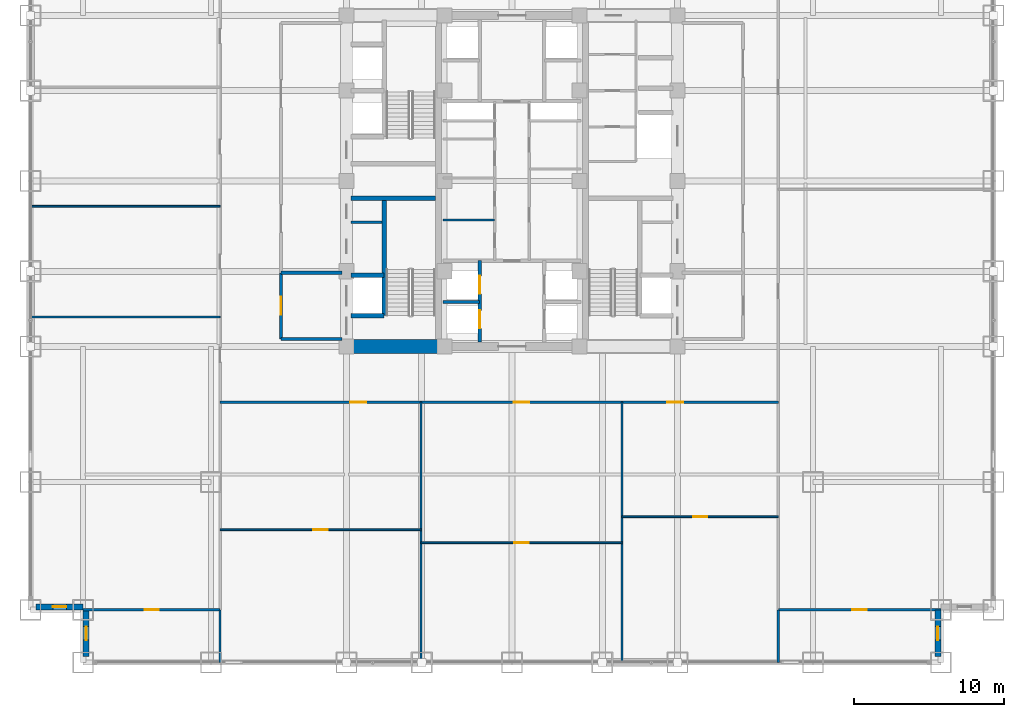
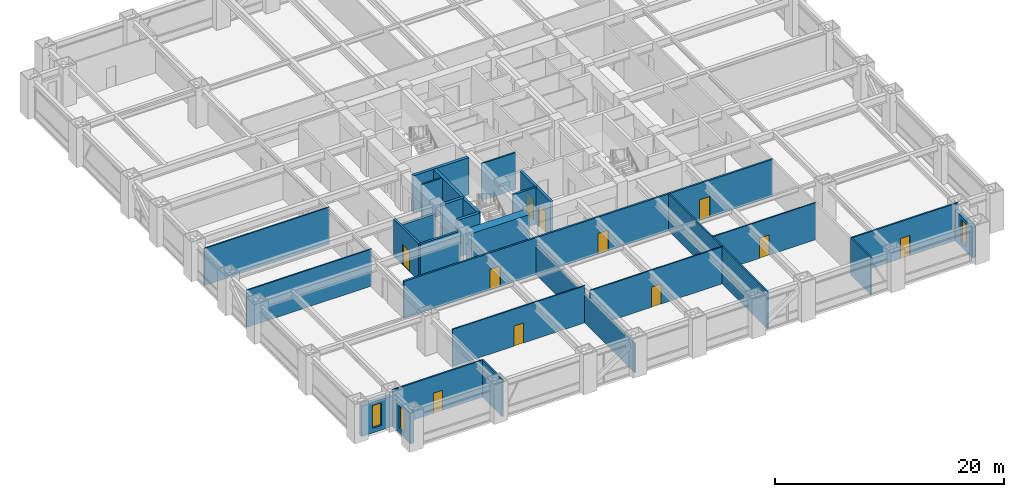
# One storey, part 23 of 28: 27 walls, 11 doors, 3 windows, 14 openings.
"""IFC4 building model written with IfcOpenShell, lengths in metres."""

from ifc_helpers import new_model, si_unit, direction, frame, frame_2d, origin, place, context, subcontext, project, spatial, rectangle, extrude, source, transform, mapped, material, layer, layer_set, type_object, element, fill, save


model = new_model("IFC4")

# Units and contexts
model_context = context("Model", 3, precision=1e-05, world=origin(), true_north=direction((0.0, 1.0)))
body_context = subcontext(model_context, "Body", "Model", "MODEL_VIEW")
ifc_project = project(units=[si_unit("LENGTHUNIT", "METRE"), si_unit("AREAUNIT", "SQUARE_METRE"), si_unit("VOLUMEUNIT", "CUBIC_METRE"), si_unit("PLANEANGLEUNIT", "RADIAN"), si_unit("MASSUNIT", "GRAM", prefix="KILO")], contexts=[model_context])

# Site, building, storey
site_placement = place(None, origin())
site = spatial("IfcSite", under=ifc_project, at=site_placement, CompositionType="ELEMENT")
building_placement = place(site_placement, origin())
building = spatial("IfcBuilding", under=site, at=building_placement, Name="Khorayat Bourse Tower", CompositionType="ELEMENT")
storey_placement = place(building_placement, frame((0.0, 0.0, 66.199951171875)))
storey = spatial("IfcBuildingStorey", under=building, at=storey_placement, Name="L14", CompositionType="ELEMENT", Elevation=66.199951171875)

# Walls
ifc_material_1 = material(Name="Concrete C72/90", Category="concrete")
ifc_layer_1 = layer(ifc_material_1, 0.89990234375)
ifc_layer_set_1 = layer_set([ifc_layer_1], Name="Concrete C72/90")
wall_type_1 = type_object("IfcWallType", Name="WAL-CORE-900", PredefinedType="SHEAR", material=ifc_layer_set_1)
shared_shape_1 = source(origin(), body_context, "Body", "SweptSolid", [
    extrude(rectangle(XDim=5.849853515625, YDim=0.89990234375, at=frame_2d((2.9248046875, 0.0))), origin(), (0.0, 0.0, 1.0), 3.93994140625),
])
wall_1_placement = place(storey_placement, frame((-10.699951171875, -11.0, 0.0), z_axis=(0.0, 0.0, 1.0), x_axis=(1.0, 0.0, 0.0)))
element("IfcWall", 1, at=wall_1_placement, inside=storey, type_object=wall_type_1, Name="L14 Core Shear Wall PIER-WS", PredefinedType="SHEAR", context=body_context, shape_type="MappedRepresentation", body=[
    mapped(shared_shape_1, transform((0.0, 0.0, 0.0), scale=1.0)),
])
ifc_material_2 = material(Name="Concrete C50/60", Category="concrete")
ifc_layer_2 = layer(ifc_material_2, 0.300048828125)
ifc_layer_set_2 = layer_set([ifc_layer_2], Name="Concrete C50/60")
wall_type_2 = type_object("IfcWallType", Name="WAL-SHAFT-300", PredefinedType="SHEAR", material=ifc_layer_set_2)
shared_shape_2 = source(origin(), body_context, "Body", "SweptSolid", [
    extrude(rectangle(XDim=5.599853515625, YDim=0.300048828125, at=frame_2d((2.7998046875, 0.0))), origin(), (0.0, 0.0, 1.0), 3.93994140625),
])
wall_2_placement = place(storey_placement, frame((-10.699951171875, -1.14990234375, 0.0), z_axis=(0.0, 0.0, 1.0), x_axis=(1.0, 0.0, 0.0)))
element("IfcWall", 2, at=wall_2_placement, inside=storey, type_object=wall_type_2, Name="L14 Core Shear Wall ST1-DIV", PredefinedType="SHEAR", context=body_context, shape_type="MappedRepresentation", body=[
    mapped(shared_shape_2, transform((0.0, 0.0, 0.0), scale=1.0)),
])

# Wall, opening, window
ifc_material_3 = material(Name="Precast concrete C45/55", Category="concrete")
ifc_layer_3 = layer(ifc_material_3, 0.3798828125)
ifc_layer_set_3 = layer_set([ifc_layer_3], Name="Precast concrete C45/55")
wall_type_3 = type_object("IfcWallType", Name="WAL-EXT-STONE-380", PredefinedType="STANDARD", material=ifc_layer_set_3)
shared_shape_3 = source(origin(), body_context, "Body", "SweptSolid", [
    extrude(rectangle(XDim=3.1201171875, YDim=0.3798828125, at=frame_2d((1.56005859375, 0.0))), origin(), (0.0, 0.0, 1.0), 3.2451171875),
])
wall_3_placement = place(storey_placement, frame((-28.5, -28.31005859375, 0.0), z_axis=(0.0, 0.0, 1.0), x_axis=(-1.0, 0.0, 0.0)))
wall_3 = element("IfcWall", 3, at=wall_3_placement, inside=storey, type_object=wall_type_3, Name="L14 Re-Entrant Notch Limestone Wall SW-H", PredefinedType="STANDARD", context=body_context, shape_type="MappedRepresentation", body=[
    mapped(shared_shape_3, transform((0.0, 0.0, 0.0), scale=1.0)),
])
shared_shape_4 = source(origin(), body_context, "Body", "SweptSolid", [
    extrude(rectangle(XDim=0.89990234375, YDim=2.39990234375, at=frame_2d((0.449951171875, 1.199951171875))), frame((0.0, 0.199951171875, 0.0), z_axis=(0.0, -1.0, 0.0), x_axis=(1.0, 0.0, 0.0)), (0.0, 0.0, 1.0), 0.39990234375),
])
opening_1_placement = place(wall_3_placement, frame((1.110107421875, 0.0, 0.5)))
opening_1 = element("IfcOpeningElement", 4, at=opening_1_placement, cuts=wall_3, Name="Opening WN-03", PredefinedType="OPENING", context=body_context, shape_type="MappedRepresentation", body=[
    mapped(shared_shape_4, transform((0.0, 0.0, 0.0), scale=1.0)),
])
ifc_material_4 = material(Name="Deep-reveal solar-control double glazing", Category="glass")
window_type = type_object("IfcWindowType", Name="WIN-SLOT-900x2400", PartitioningType="SINGLE_PANEL", PredefinedType="WINDOW", material=ifc_material_4)
shared_shape_5 = source(origin(), body_context, "Body", "SweptSolid", [
    extrude(rectangle(XDim=0.89990234375, YDim=2.39990234375, at=frame_2d((0.449951171875, 1.199951171875))), frame((0.0, 0.030029296875, 0.0), z_axis=(0.0, -1.0, 0.0), x_axis=(1.0, 0.0, 0.0)), (0.0, 0.0, 1.0), 0.06005859375),
])
window_1_placement = place(opening_1_placement, origin())
window_1 = element("IfcWindow", 5, at=window_1_placement, inside=storey, type_object=window_type, Name="L14 Facade Window 1", OverallHeight=2.39990234375, OverallWidth=0.89990234375, PartitioningType="SINGLE_PANEL", PredefinedType="WINDOW", context=body_context, shape_type="MappedRepresentation", body=[
    mapped(shared_shape_5, transform((0.0, 0.0, 0.0), scale=1.0)),
])
fill(opening_1, window_1)

wall_4_placement = place(storey_placement, frame((-28.31005859375, -31.6201171875, 0.0), z_axis=(0.0, 0.0, 1.0), x_axis=(0.0, 1.0, 0.0)))
wall_4 = element("IfcWall", 6, at=wall_4_placement, inside=storey, type_object=wall_type_3, Name="L14 Re-Entrant Notch Limestone Wall SW-V", PredefinedType="STANDARD", context=body_context, shape_type="MappedRepresentation", body=[
    mapped(shared_shape_3, transform((0.0, 0.0, 0.0), scale=1.0)),
])
opening_2_placement = place(wall_4_placement, frame((1.110107421875, 0.0, 0.5)))
opening_2 = element("IfcOpeningElement", 7, at=opening_2_placement, cuts=wall_4, Name="Opening WN-03", PredefinedType="OPENING", context=body_context, shape_type="MappedRepresentation", body=[
    mapped(shared_shape_4, transform((0.0, 0.0, 0.0), scale=1.0)),
])
window_2_placement = place(opening_2_placement, origin())
window_2 = element("IfcWindow", 8, at=window_2_placement, inside=storey, type_object=window_type, Name="L14 Facade Window 1", OverallHeight=2.39990234375, OverallWidth=0.89990234375, PartitioningType="SINGLE_PANEL", PredefinedType="WINDOW", context=body_context, shape_type="MappedRepresentation", body=[
    mapped(shared_shape_5, transform((0.0, 0.0, 0.0), scale=1.0)),
])
fill(opening_2, window_2)

wall_5_placement = place(storey_placement, frame((28.31005859375, -31.6201171875, 0.0), z_axis=(0.0, 0.0, 1.0), x_axis=(0.0, 1.0, 0.0)))
wall_5 = element("IfcWall", 9, at=wall_5_placement, inside=storey, type_object=wall_type_3, Name="L14 Re-Entrant Notch Limestone Wall SE-V", PredefinedType="STANDARD", context=body_context, shape_type="MappedRepresentation", body=[
    mapped(shared_shape_3, transform((0.0, 0.0, 0.0), scale=1.0)),
])
opening_3_placement = place(wall_5_placement, frame((1.110107421875, 0.0, 0.5)))
opening_3 = element("IfcOpeningElement", 10, at=opening_3_placement, cuts=wall_5, Name="Opening WN-03", PredefinedType="OPENING", context=body_context, shape_type="MappedRepresentation", body=[
    mapped(shared_shape_4, transform((0.0, 0.0, 0.0), scale=1.0)),
])
window_3_placement = place(opening_3_placement, origin())
window_3 = element("IfcWindow", 11, at=window_3_placement, inside=storey, type_object=window_type, Name="L14 Facade Window 1", OverallHeight=2.39990234375, OverallWidth=0.89990234375, PartitioningType="SINGLE_PANEL", PredefinedType="WINDOW", context=body_context, shape_type="MappedRepresentation", body=[
    mapped(shared_shape_5, transform((0.0, 0.0, 0.0), scale=1.0)),
])
fill(opening_3, window_3)

# Walls
shared_shape_6 = source(origin(), body_context, "Body", "SweptSolid", [
    extrude(rectangle(XDim=7.800048828125, YDim=0.300048828125, at=frame_2d((3.89990234375, 0.0))), origin(), (0.0, 0.0, 1.0), 3.93994140625),
])
wall_6_placement = place(storey_placement, frame((-8.5, -8.949951171875, 0.0), z_axis=(0.0, 0.0, 1.0), x_axis=(0.0, 1.0, 0.0)))
element("IfcWall", 12, at=wall_6_placement, inside=storey, type_object=wall_type_2, Name="L14 Partition WAL-L14-WPIER-SP", PredefinedType="SHEAR", context=body_context, shape_type="MappedRepresentation", body=[
    mapped(shared_shape_6, transform((0.0, 0.0, 0.0), scale=1.0)),
])
shared_shape_7 = source(origin(), body_context, "Body", "SweptSolid", [
    extrude(rectangle(XDim=2.199951171875, YDim=0.300048828125, at=frame_2d((1.10009765625, 0.0))), origin(), (0.0, 0.0, 1.0), 3.93994140625),
])
for number, where, z_axis, x_axis, name in (
    (13, (-10.699951171875, -8.949951171875, 0.0), (0.0, 0.0, 1.0), (1.0, 0.0, 0.0), "L14 Partition WAL-L14-WPIER-FF1S"),
    (14, (-10.699951171875, -6.25, 0.0), (0.0, 0.0, 1.0), (1.0, 0.0, 0.0), "L14 Partition WAL-L14-WPIER-FF1N"),
):
    element("IfcWall", number, at=place(storey_placement, frame(where, z_axis=z_axis, x_axis=x_axis)), inside=storey, type_object=wall_type_2, Name=name, PredefinedType="SHEAR", context=body_context, shape_type="MappedRepresentation", body=[
        mapped(shared_shape_7, transform((0.0, 0.0, 0.0), scale=1.0)),
    ])
ifc_material_5 = material(Name="Gypsum plasterboard twin-frame partition")
ifc_layer_4 = layer(ifc_material_5, 0.14990234375)
ifc_layer_set_4 = layer_set([ifc_layer_4], Name="Gypsum plasterboard twin-frame partition")
wall_type_4 = type_object("IfcWallType", Name="WAL-PART-SUITE-150", PredefinedType="PARTITIONING", material=ifc_layer_set_4)
shared_shape_8 = source(origin(), body_context, "Body", "SweptSolid", [
    extrude(rectangle(XDim=2.050048828125, YDim=0.14990234375, at=frame_2d((1.02490234375, 0.0))), origin(), (0.0, 0.0, 1.0), 3.93994140625),
])
wall_7_placement = place(storey_placement, frame((-10.699951171875, -2.75, 0.0), z_axis=(0.0, 0.0, 1.0), x_axis=(1.0, 0.0, 0.0)))
element("IfcWall", 15, at=wall_7_placement, inside=storey, type_object=wall_type_4, Name="L14 Partition WAL-L14-WSRV-D1", PredefinedType="PARTITIONING", context=body_context, shape_type="MappedRepresentation", body=[
    mapped(shared_shape_8, transform((0.0, 0.0, 0.0), scale=1.0)),
])
ifc_material_6 = material(Name="Aerated concrete blockwork", Category="masonry")
ifc_layer_5 = layer(ifc_material_6, 0.219970703125)
ifc_layer_set_5 = layer_set([ifc_layer_5], Name="Aerated concrete blockwork")
wall_type_5 = type_object("IfcWallType", Name="WAL-PART-FF-220", PredefinedType="PARTITIONING", material=ifc_layer_set_5)
shared_shape_9 = source(origin(), body_context, "Body", "SweptSolid", [
    extrude(rectangle(XDim=4.050048828125, YDim=0.219970703125, at=frame_2d((2.02490234375, 0.0))), origin(), (0.0, 0.0, 1.0), 3.93994140625),
])
wall_8_placement = place(storey_placement, frame((-15.35009765625, -10.5, 0.0), z_axis=(0.0, 0.0, 1.0), x_axis=(1.0, 0.0, 0.0)))
element("IfcWall", 16, at=wall_8_placement, inside=storey, type_object=wall_type_5, Name="L14 Partition WAL-L14-FFLW-S", PredefinedType="PARTITIONING", context=body_context, shape_type="MappedRepresentation", body=[
    mapped(shared_shape_9, transform((0.0, 0.0, 0.0), scale=1.0)),
])
shared_shape_10 = source(origin(), body_context, "Body", "SweptSolid", [
    extrude(rectangle(XDim=4.050048828125, YDim=0.219970703125, at=frame_2d((2.02490234375, 0.0))), origin(), (0.0, 0.0, 1.0), 3.0849609375),
])
wall_9_placement = place(storey_placement, frame((-15.35009765625, -6.10009765625, 0.0), z_axis=(0.0, 0.0, 1.0), x_axis=(1.0, 0.0, 0.0)))
element("IfcWall", 17, at=wall_9_placement, inside=storey, type_object=wall_type_5, Name="L14 Partition WAL-L14-FFLW-N", PredefinedType="PARTITIONING", context=body_context, shape_type="MappedRepresentation", body=[
    mapped(shared_shape_10, transform((0.0, 0.0, 0.0), scale=1.0)),
])

# Wall, opening, door
shared_shape_11 = source(origin(), body_context, "Body", "SweptSolid", [
    extrude(rectangle(XDim=4.39990234375, YDim=0.219970703125, at=frame_2d((2.199951171875, 0.0))), origin(), (0.0, 0.0, 1.0), 3.93994140625),
])
wall_10_placement = place(storey_placement, frame((-15.35009765625, -10.5, 0.0), z_axis=(0.0, 0.0, 1.0), x_axis=(0.0, 1.0, 0.0)))
wall_10 = element("IfcWall", 18, at=wall_10_placement, inside=storey, type_object=wall_type_5, Name="L14 Partition WAL-L14-FFLW-W", PredefinedType="PARTITIONING", context=body_context, shape_type="MappedRepresentation", body=[
    mapped(shared_shape_11, transform((0.0, 0.0, 0.0), scale=1.0)),
])
shared_shape_12 = source(origin(), body_context, "Body", "SweptSolid", [
    extrude(rectangle(XDim=1.199951171875, YDim=2.199951171875, at=frame_2d((0.60009765625, 1.10009765625))), frame((0.0, 0.119873046875, 0.0), z_axis=(0.0, -1.0, 0.0), x_axis=(1.0, 0.0, 0.0)), (0.0, 0.0, 1.0), 0.239990234375),
])
opening_4_placement = place(wall_10_placement, frame((1.60009765625, 0.0, 0.0)))
opening_4 = element("IfcOpeningElement", 19, at=opening_4_placement, cuts=wall_10, Name="Opening DI-02", PredefinedType="OPENING", context=body_context, shape_type="MappedRepresentation", body=[
    mapped(shared_shape_12, transform((0.0, 0.0, 0.0), scale=1.0)),
])
ifc_material_7 = material(Name="Fire-rated steel double-seal leaf", Category="steel")
door_type_1 = type_object("IfcDoorType", Name="DR-INT-FFLOBBY-1200", OperationType="NOTDEFINED", PredefinedType="DOOR", material=ifc_material_7)
shared_shape_13 = source(origin(), body_context, "Body", "SweptSolid", [
    extrude(rectangle(XDim=1.199951171875, YDim=2.199951171875, at=frame_2d((0.60009765625, 1.10009765625))), frame((0.0, 0.02490234375, 0.0), z_axis=(0.0, -1.0, 0.0), x_axis=(1.0, 0.0, 0.0)), (0.0, 0.0, 1.0), 0.050048828125),
])
door_1_placement = place(opening_4_placement, origin())
door_1 = element("IfcDoor", 20, at=door_1_placement, inside=storey, type_object=door_type_1, Name="L14 West Firefighting Lobby Door", OperationType="SINGLE_SWING_LEFT", OverallHeight=2.199951171875, OverallWidth=1.199951171875, PredefinedType="DOOR", context=body_context, shape_type="MappedRepresentation", body=[
    mapped(shared_shape_13, transform((0.0, 0.0, 0.0), scale=1.0)),
])
fill(opening_4, door_1)

# Wall, openings, doors
shared_shape_14 = source(origin(), body_context, "Body", "SweptSolid", [
    extrude(rectangle(XDim=5.39990234375, YDim=0.25, at=frame_2d((2.699951171875, 0.0))), origin(), (0.0, 0.0, 1.0), 3.93994140625),
])
wall_11_placement = place(storey_placement, frame((-2.14990234375, -10.699951171875, 0.0), z_axis=(0.0, 0.0, 1.0), x_axis=(0.0, 1.0, 0.0)))
wall_11 = element("IfcWall", 21, at=wall_11_placement, inside=storey, type_object=wall_type_2, Name="L14 Partition WAL-L14-B1-W", PredefinedType="SHEAR", context=body_context, shape_type="MappedRepresentation", body=[
    mapped(shared_shape_14, transform((0.0, 0.0, 0.0), scale=1.0)),
])
shared_shape_15 = source(origin(), body_context, "Body", "SweptSolid", [
    extrude(rectangle(XDim=1.199951171875, YDim=2.300048828125, at=frame_2d((0.60009765625, 1.14990234375))), frame((0.0, 0.135009765625, 0.0), z_axis=(0.0, -1.0, 0.0), x_axis=(1.0, 0.0, 0.0)), (0.0, 0.0, 1.0), 0.27001953125),
])
opening_5_placement = place(wall_11_placement, frame((0.89990234375, 0.0, 0.0)))
opening_5 = element("IfcOpeningElement", 22, at=opening_5_placement, cuts=wall_11, Name="Opening LD-01", PredefinedType="OPENING", context=body_context, shape_type="MappedRepresentation", body=[
    mapped(shared_shape_15, transform((0.0, 0.0, 0.0), scale=1.0)),
])
opening_6_placement = place(wall_11_placement, frame((3.199951171875, 0.0, 0.0)))
opening_6 = element("IfcOpeningElement", 23, at=opening_6_placement, cuts=wall_11, Name="Opening LD-01", PredefinedType="OPENING", context=body_context, shape_type="MappedRepresentation", body=[
    mapped(shared_shape_15, transform((0.0, 0.0, 0.0), scale=1.0)),
])
ifc_material_8 = material(Name="Brushed bronze stainless-steel sliding door", Category="steel")
door_type_2 = type_object("IfcDoorType", Name="DR-LIFT-PASS-1200", OperationType="NOTDEFINED", PredefinedType="DOOR", material=ifc_material_8)
shared_shape_16 = source(origin(), body_context, "Body", "SweptSolid", [
    extrude(rectangle(XDim=1.199951171875, YDim=2.300048828125, at=frame_2d((0.60009765625, 1.14990234375))), frame((0.0, 0.02490234375, 0.0), z_axis=(0.0, -1.0, 0.0), x_axis=(1.0, 0.0, 0.0)), (0.0, 0.0, 1.0), 0.050048828125),
])
door_2_placement = place(opening_5_placement, origin())
door_2 = element("IfcDoor", 24, at=door_2_placement, inside=storey, type_object=door_type_2, Name="L14 Lift PL-L1 Sliding Landing Door", OperationType="SLIDING_TO_LEFT", OverallHeight=2.300048828125, OverallWidth=1.199951171875, PredefinedType="DOOR", context=body_context, shape_type="MappedRepresentation", body=[
    mapped(shared_shape_16, transform((0.0, 0.0, 0.0), scale=1.0)),
])
fill(opening_5, door_2)
door_3_placement = place(opening_6_placement, origin())
door_3 = element("IfcDoor", 25, at=door_3_placement, inside=storey, type_object=door_type_2, Name="L14 Lift PL-L3 Sliding Landing Door", OperationType="SLIDING_TO_LEFT", OverallHeight=2.300048828125, OverallWidth=1.199951171875, PredefinedType="DOOR", context=body_context, shape_type="MappedRepresentation", body=[
    mapped(shared_shape_16, transform((0.0, 0.0, 0.0), scale=1.0)),
])
fill(opening_6, door_3)

# Walls
shared_shape_17 = source(origin(), body_context, "Body", "SweptSolid", [
    extrude(rectangle(XDim=2.4501953125, YDim=0.199951171875, at=frame_2d((1.22509765625, 0.0))), origin(), (0.0, 0.0, 1.0), 3.93994140625),
])
wall_12_placement = place(storey_placement, frame((-4.60009765625, -8.050048828125, 0.0), z_axis=(0.0, 0.0, 1.0), x_axis=(1.0, 0.0, 0.0)))
element("IfcWall", 26, at=wall_12_placement, inside=storey, type_object=wall_type_2, Name="L14 Partition WAL-L14-B1-MW", PredefinedType="SHEAR", context=body_context, shape_type="MappedRepresentation", body=[
    mapped(shared_shape_17, transform((0.0, 0.0, 0.0), scale=1.0)),
])
ifc_material_9 = material(Name="Moisture-resistant masonry partition", Category="masonry")
ifc_layer_6 = layer(ifc_material_9, 0.139892578125)
ifc_layer_set_6 = layer_set([ifc_layer_6], Name="Moisture-resistant masonry partition")
wall_type_6 = type_object("IfcWallType", Name="WAL-PART-WET-140", PredefinedType="PARTITIONING", material=ifc_layer_set_6)
shared_shape_18 = source(origin(), body_context, "Body", "SweptSolid", [
    extrude(rectangle(XDim=3.4501953125, YDim=0.139892578125, at=frame_2d((1.72509765625, 0.0))), origin(), (0.0, 0.0, 1.0), 3.93994140625),
])
wall_13_placement = place(storey_placement, frame((-4.60009765625, -2.60009765625, 0.0), z_axis=(0.0, 0.0, 1.0), x_axis=(1.0, 0.0, 0.0)))
element("IfcWall", 27, at=wall_13_placement, inside=storey, type_object=wall_type_6, Name="L14 Partition WAL-L14-CMW-D1", PredefinedType="PARTITIONING", context=body_context, shape_type="MappedRepresentation", body=[
    mapped(shared_shape_18, transform((0.0, 0.0, 0.0), scale=1.0)),
])
shared_shape_19 = source(origin(), body_context, "Body", "SweptSolid", [
    extrude(rectangle(XDim=3.5, YDim=0.14990234375, at=frame_2d((1.75, 0.0))), origin(), (0.0, 0.0, 1.0), 3.93994140625),
])
for number, where, z_axis, x_axis, name in (
    (28, (-19.39990234375, -32.0, 0.0), (0.0, 0.0, 1.0), (0.0, 1.0, 0.0), "L14 Partition WAL-L14-SCW-END"),
    (29, (17.699951171875, -32.0, 0.0), (0.0, 0.0, 1.0), (0.0, 1.0, 0.0), "L14 Partition WAL-L14-SCE-END"),
):
    element("IfcWall", number, at=place(storey_placement, frame(where, z_axis=z_axis, x_axis=x_axis)), inside=storey, type_object=wall_type_4, Name=name, PredefinedType="PARTITIONING", context=body_context, shape_type="MappedRepresentation", body=[
        mapped(shared_shape_19, transform((0.0, 0.0, 0.0), scale=1.0)),
    ])

# Wall, opening, door
shared_shape_20 = source(origin(), body_context, "Body", "SweptSolid", [
    extrude(rectangle(XDim=10.800048828125, YDim=0.14990234375, at=frame_2d((5.39990234375, 0.0))), origin(), (0.0, 0.0, 1.0), 3.93994140625),
])
wall_14_placement = place(storey_placement, frame((17.699951171875, -28.5, 0.0), z_axis=(0.0, 0.0, 1.0), x_axis=(1.0, 0.0, 0.0)))
wall_14 = element("IfcWall", 30, at=wall_14_placement, inside=storey, type_object=wall_type_4, Name="L14 Partition WAL-L14-CSE", PredefinedType="PARTITIONING", context=body_context, shape_type="MappedRepresentation", body=[
    mapped(shared_shape_20, transform((0.0, 0.0, 0.0), scale=1.0)),
])
shared_shape_21 = source(origin(), body_context, "Body", "SweptSolid", [
    extrude(rectangle(XDim=0.949951171875, YDim=2.14990234375, at=frame_2d((0.47509765625, 1.074951171875))), frame((0.0, 0.0849609375, 0.0), z_axis=(0.0, -1.0, 0.0), x_axis=(1.0, 0.0, 0.0)), (0.0, 0.0, 1.0), 0.169921875),
])
opening_7_placement = place(wall_14_placement, frame((4.925048828125, 0.0, 0.0)))
opening_7 = element("IfcOpeningElement", 31, at=opening_7_placement, cuts=wall_14, Name="Opening DI-05", PredefinedType="OPENING", context=body_context, shape_type="MappedRepresentation", body=[
    mapped(shared_shape_21, transform((0.0, 0.0, 0.0), scale=1.0)),
])
ifc_material_10 = material(Name="Acoustic oak veneer office door")
door_type_3 = type_object("IfcDoorType", Name="DR-INT-OFFICE-950", OperationType="NOTDEFINED", PredefinedType="DOOR", material=ifc_material_10)
shared_shape_22 = source(origin(), body_context, "Body", "SweptSolid", [
    extrude(rectangle(XDim=0.949951171875, YDim=2.14990234375, at=frame_2d((0.47509765625, 1.074951171875))), frame((0.0, 0.02490234375, 0.0), z_axis=(0.0, -1.0, 0.0), x_axis=(1.0, 0.0, 0.0)), (0.0, 0.0, 1.0), 0.050048828125),
])
door_4_placement = place(opening_7_placement, origin())
door_4 = element("IfcDoor", 32, at=door_4_placement, inside=storey, type_object=door_type_3, Name="L14 South-East Corner Briefing Room Door", OperationType="SINGLE_SWING_LEFT", OverallHeight=2.14990234375, OverallWidth=0.949951171875, PredefinedType="DOOR", context=body_context, shape_type="MappedRepresentation", body=[
    mapped(shared_shape_22, transform((0.0, 0.0, 0.0), scale=1.0)),
])
fill(opening_7, door_4)

shared_shape_23 = source(origin(), body_context, "Body", "SweptSolid", [
    extrude(rectangle(XDim=9.10009765625, YDim=0.14990234375, at=frame_2d((4.550048828125, 0.0))), origin(), (0.0, 0.0, 1.0), 3.93994140625),
])
wall_15_placement = place(storey_placement, frame((-28.5, -28.5, 0.0), z_axis=(0.0, 0.0, 1.0), x_axis=(1.0, 0.0, 0.0)))
wall_15 = element("IfcWall", 33, at=wall_15_placement, inside=storey, type_object=wall_type_4, Name="L14 Partition WAL-L14-CSW", PredefinedType="PARTITIONING", context=body_context, shape_type="MappedRepresentation", body=[
    mapped(shared_shape_23, transform((0.0, 0.0, 0.0), scale=1.0)),
])
opening_8_placement = place(wall_15_placement, frame((4.074951171875, 0.0, 0.0)))
opening_8 = element("IfcOpeningElement", 34, at=opening_8_placement, cuts=wall_15, Name="Opening DI-05", PredefinedType="OPENING", context=body_context, shape_type="MappedRepresentation", body=[
    mapped(shared_shape_21, transform((0.0, 0.0, 0.0), scale=1.0)),
])
door_5_placement = place(opening_8_placement, origin())
door_5 = element("IfcDoor", 35, at=door_5_placement, inside=storey, type_object=door_type_3, Name="L14 South-West Corner Office Door", OperationType="SINGLE_SWING_LEFT", OverallHeight=2.14990234375, OverallWidth=0.949951171875, PredefinedType="DOOR", context=body_context, shape_type="MappedRepresentation", body=[
    mapped(shared_shape_22, transform((0.0, 0.0, 0.0), scale=1.0)),
])
fill(opening_8, door_5)

ifc_material_11 = material(Name="Gypsum plasterboard partition")
ifc_layer_7 = layer(ifc_material_11, 0.125)
ifc_layer_set_7 = layer_set([ifc_layer_7], Name="Gypsum plasterboard partition")
wall_type_7 = type_object("IfcWallType", Name="WAL-PART-ROOM-125", PredefinedType="PARTITIONING", material=ifc_layer_set_7)
shared_shape_24 = source(origin(), body_context, "Body", "SweptSolid", [
    extrude(rectangle(XDim=13.35595703125, YDim=0.125, at=frame_2d((6.677978515625, 0.0))), origin(), (0.0, 0.0, 1.0), 3.93994140625),
])
wall_16_placement = place(storey_placement, frame((-19.39990234375, -23.177001953125, 0.0), z_axis=(0.0, 0.0, 1.0), x_axis=(1.0, 0.0, 0.0)))
wall_16 = element("IfcWall", 36, at=wall_16_placement, inside=storey, type_object=wall_type_7, Name="L14 Partition WAL-L14-SDP-1", PredefinedType="PARTITIONING", context=body_context, shape_type="MappedRepresentation", body=[
    mapped(shared_shape_24, transform((0.0, 0.0, 0.0), scale=1.0)),
])
shared_shape_25 = source(origin(), body_context, "Body", "SweptSolid", [
    extrude(rectangle(XDim=0.949951171875, YDim=2.14990234375, at=frame_2d((0.47509765625, 1.074951171875))), frame((0.0, 0.072509765625, 0.0), z_axis=(0.0, -1.0, 0.0), x_axis=(1.0, 0.0, 0.0)), (0.0, 0.0, 1.0), 0.14501953125),
])
opening_9_placement = place(wall_16_placement, frame((6.202880859375, 0.0, 0.0)))
opening_9 = element("IfcOpeningElement", 37, at=opening_9_placement, cuts=wall_16, Name="Opening DI-05", PredefinedType="OPENING", context=body_context, shape_type="MappedRepresentation", body=[
    mapped(shared_shape_25, transform((0.0, 0.0, 0.0), scale=1.0)),
])
door_6_placement = place(opening_9_placement, origin())
door_6 = element("IfcDoor", 38, at=door_6_placement, inside=storey, type_object=door_type_3, Name="L14 Members Dining Room S1B Door", OperationType="SINGLE_SWING_RIGHT", OverallHeight=2.14990234375, OverallWidth=0.949951171875, PredefinedType="DOOR", context=body_context, shape_type="MappedRepresentation", body=[
    mapped(shared_shape_22, transform((0.0, 0.0, 0.0), scale=1.0)),
])
fill(opening_9, door_6)

wall_17_placement = place(storey_placement, frame((-6.0439453125, -24.0419921875, 0.0), z_axis=(0.0, 0.0, 1.0), x_axis=(1.0, 0.0, 0.0)))
wall_17 = element("IfcWall", 39, at=wall_17_placement, inside=storey, type_object=wall_type_7, Name="L14 Partition WAL-L14-SDP-2", PredefinedType="PARTITIONING", context=body_context, shape_type="MappedRepresentation", body=[
    mapped(shared_shape_24, transform((0.0, 0.0, 0.0), scale=1.0)),
])
opening_10_placement = place(wall_17_placement, frame((6.202880859375, 0.0, 0.0)))
opening_10 = element("IfcOpeningElement", 40, at=opening_10_placement, cuts=wall_17, Name="Opening DI-05", PredefinedType="OPENING", context=body_context, shape_type="MappedRepresentation", body=[
    mapped(shared_shape_25, transform((0.0, 0.0, 0.0), scale=1.0)),
])
door_7_placement = place(opening_10_placement, origin())
door_7 = element("IfcDoor", 41, at=door_7_placement, inside=storey, type_object=door_type_3, Name="L14 Members Club Room S2B Door", OperationType="SINGLE_SWING_LEFT", OverallHeight=2.14990234375, OverallWidth=0.949951171875, PredefinedType="DOOR", context=body_context, shape_type="MappedRepresentation", body=[
    mapped(shared_shape_22, transform((0.0, 0.0, 0.0), scale=1.0)),
])
fill(opening_10, door_7)

# Walls
shared_shape_26 = source(origin(), body_context, "Body", "SweptSolid", [
    extrude(rectangle(XDim=17.300048828125, YDim=0.14990234375, at=frame_2d((8.64990234375, 0.0))), origin(), (0.0, 0.0, 1.0), 3.0849609375),
])
wall_18_placement = place(storey_placement, frame((-6.0439453125, -32.0, 0.0), z_axis=(0.0, 0.0, 1.0), x_axis=(0.0, 1.0, 0.0)))
element("IfcWall", 42, at=wall_18_placement, inside=storey, type_object=wall_type_4, Name="L14 Partition WAL-L14-SDV-1", PredefinedType="PARTITIONING", context=body_context, shape_type="MappedRepresentation", body=[
    mapped(shared_shape_26, transform((0.0, 0.0, 0.0), scale=1.0)),
])
shared_shape_27 = source(origin(), body_context, "Body", "SweptSolid", [
    extrude(rectangle(XDim=17.300048828125, YDim=0.14990234375, at=frame_2d((8.64990234375, 0.0))), origin(), (0.0, 0.0, 1.0), 3.93994140625),
])
wall_19_placement = place(storey_placement, frame((7.31201171875, -32.0, 0.0), z_axis=(0.0, 0.0, 1.0), x_axis=(0.0, 1.0, 0.0)))
element("IfcWall", 43, at=wall_19_placement, inside=storey, type_object=wall_type_4, Name="L14 Partition WAL-L14-SDV-2", PredefinedType="PARTITIONING", context=body_context, shape_type="MappedRepresentation", body=[
    mapped(shared_shape_27, transform((0.0, 0.0, 0.0), scale=1.0)),
])

# Wall, opening, door
shared_shape_28 = source(origin(), body_context, "Body", "SweptSolid", [
    extrude(rectangle(XDim=10.387939453125, YDim=0.125, at=frame_2d((5.19384765625, 0.0))), origin(), (0.0, 0.0, 1.0), 3.93994140625),
])
wall_20_placement = place(storey_placement, frame((7.31201171875, -22.31201171875, 0.0), z_axis=(0.0, 0.0, 1.0), x_axis=(1.0, 0.0, 0.0)))
wall_20 = element("IfcWall", 44, at=wall_20_placement, inside=storey, type_object=wall_type_7, Name="L14 Partition WAL-L14-SDP-3", PredefinedType="PARTITIONING", context=body_context, shape_type="MappedRepresentation", body=[
    mapped(shared_shape_28, transform((0.0, 0.0, 0.0), scale=1.0)),
])
opening_11_placement = place(wall_20_placement, frame((4.718994140625, 0.0, 0.0)))
opening_11 = element("IfcOpeningElement", 45, at=opening_11_placement, cuts=wall_20, Name="Opening DI-05", PredefinedType="OPENING", context=body_context, shape_type="MappedRepresentation", body=[
    mapped(shared_shape_25, transform((0.0, 0.0, 0.0), scale=1.0)),
])
door_8_placement = place(opening_11_placement, origin())
door_8 = element("IfcDoor", 46, at=door_8_placement, inside=storey, type_object=door_type_3, Name="L14 Issuer Listing Showroom S3B Door", OperationType="SINGLE_SWING_RIGHT", OverallHeight=2.14990234375, OverallWidth=0.949951171875, PredefinedType="DOOR", context=body_context, shape_type="MappedRepresentation", body=[
    mapped(shared_shape_22, transform((0.0, 0.0, 0.0), scale=1.0)),
])
fill(opening_11, door_8)

# Wall, openings, doors
ifc_material_12 = material(Name="Gypsum plasterboard acoustic stud wall")
ifc_layer_8 = layer(ifc_material_12, 0.179931640625)
ifc_layer_set_8 = layer_set([ifc_layer_8], Name="Gypsum plasterboard acoustic stud wall")
wall_type_8 = type_object("IfcWallType", Name="WAL-PART-CORR-180", PredefinedType="PARTITIONING", material=ifc_layer_set_8)
shared_shape_29 = source(origin(), body_context, "Body", "SweptSolid", [
    extrude(rectangle(XDim=37.099853515625, YDim=0.179931640625, at=frame_2d((18.5498046875, 0.0))), origin(), (0.0, 0.0, 1.0), 3.93994140625),
])
wall_21_placement = place(storey_placement, frame((-19.39990234375, -14.699951171875, 0.0), z_axis=(0.0, 0.0, 1.0), x_axis=(1.0, 0.0, 0.0)))
wall_21 = element("IfcWall", 47, at=wall_21_placement, inside=storey, type_object=wall_type_8, Name="L14 Partition WAL-L14-SCORR", PredefinedType="PARTITIONING", context=body_context, shape_type="MappedRepresentation", body=[
    mapped(shared_shape_29, transform((0.0, 0.0, 0.0), scale=1.0)),
])
shared_shape_30 = source(origin(), body_context, "Body", "SweptSolid", [
    extrude(rectangle(XDim=1.050048828125, YDim=2.199951171875, at=frame_2d((0.52490234375, 1.10009765625))), frame((0.0, 0.099853515625, 0.0), z_axis=(0.0, -1.0, 0.0), x_axis=(1.0, 0.0, 0.0)), (0.0, 0.0, 1.0), 0.199951171875),
])
opening_12_placement = place(wall_21_placement, frame((8.653076171875, 0.0, 0.0)))
opening_12 = element("IfcOpeningElement", 48, at=opening_12_placement, cuts=wall_21, Name="Opening DI-04", PredefinedType="OPENING", context=body_context, shape_type="MappedRepresentation", body=[
    mapped(shared_shape_30, transform((0.0, 0.0, 0.0), scale=1.0)),
])
opening_13_placement = place(wall_21_placement, frame((19.509033203125, 0.0, 0.0)))
opening_13 = element("IfcOpeningElement", 49, at=opening_13_placement, cuts=wall_21, Name="Opening DI-04", PredefinedType="OPENING", context=body_context, shape_type="MappedRepresentation", body=[
    mapped(shared_shape_30, transform((0.0, 0.0, 0.0), scale=1.0)),
])
opening_14_placement = place(wall_21_placement, frame((29.73095703125, 0.0, 0.0)))
opening_14 = element("IfcOpeningElement", 50, at=opening_14_placement, cuts=wall_21, Name="Opening DI-04", PredefinedType="OPENING", context=body_context, shape_type="MappedRepresentation", body=[
    mapped(shared_shape_30, transform((0.0, 0.0, 0.0), scale=1.0)),
])
ifc_material_13 = material(Name="Fire-rated oak veneer suite entrance door")
door_type_4 = type_object("IfcDoorType", Name="DR-INT-SUITE-1050", OperationType="NOTDEFINED", PredefinedType="DOOR", material=ifc_material_13)
shared_shape_31 = source(origin(), body_context, "Body", "SweptSolid", [
    extrude(rectangle(XDim=1.050048828125, YDim=2.199951171875, at=frame_2d((0.52490234375, 1.10009765625))), frame((0.0, 0.02490234375, 0.0), z_axis=(0.0, -1.0, 0.0), x_axis=(1.0, 0.0, 0.0)), (0.0, 0.0, 1.0), 0.050048828125),
])
door_9_placement = place(opening_12_placement, origin())
door_9 = element("IfcDoor", 51, at=door_9_placement, inside=storey, type_object=door_type_4, Name="L14 Members Exchange Lounge S1 Door", OperationType="SINGLE_SWING_RIGHT", OverallHeight=2.199951171875, OverallWidth=1.050048828125, PredefinedType="DOOR", context=body_context, shape_type="MappedRepresentation", body=[
    mapped(shared_shape_31, transform((0.0, 0.0, 0.0), scale=1.0)),
])
fill(opening_12, door_9)
door_10_placement = place(opening_13_placement, origin())
door_10 = element("IfcDoor", 52, at=door_10_placement, inside=storey, type_object=door_type_4, Name="L14 Quantitative Research Study S2 Door", OperationType="SINGLE_SWING_LEFT", OverallHeight=2.199951171875, OverallWidth=1.050048828125, PredefinedType="DOOR", context=body_context, shape_type="MappedRepresentation", body=[
    mapped(shared_shape_31, transform((0.0, 0.0, 0.0), scale=1.0)),
])
fill(opening_13, door_10)
door_11_placement = place(opening_14_placement, origin())
door_11 = element("IfcDoor", 53, at=door_11_placement, inside=storey, type_object=door_type_4, Name="L14 Executive Wellness Fitness Gym S3 Door", OperationType="SINGLE_SWING_RIGHT", OverallHeight=2.199951171875, OverallWidth=1.050048828125, PredefinedType="DOOR", context=body_context, shape_type="MappedRepresentation", body=[
    mapped(shared_shape_31, transform((0.0, 0.0, 0.0), scale=1.0)),
])
fill(opening_14, door_11)

# Walls
shared_shape_32 = source(origin(), body_context, "Body", "SweptSolid", [
    extrude(rectangle(XDim=12.60009765625, YDim=0.125, at=frame_2d((6.300048828125, 0.0))), origin(), (0.0, 0.0, 1.0), 3.93994140625),
])
for number, where, z_axis, x_axis, name in (
    (54, (-32.0, -9.0400390625, 0.0), (0.0, 0.0, 1.0), (1.0, 0.0, 0.0), "L14 Partition WAL-L14-WDV-1"),
    (55, (-32.0, -1.681884765625, 0.0), (0.0, 0.0, 1.0), (1.0, 0.0, 0.0), "L14 Partition WAL-L14-WDV-2"),
):
    element("IfcWall", number, at=place(storey_placement, frame(where, z_axis=z_axis, x_axis=x_axis)), inside=storey, type_object=wall_type_7, Name=name, PredefinedType="PARTITIONING", context=body_context, shape_type="MappedRepresentation", body=[
        mapped(shared_shape_32, transform((0.0, 0.0, 0.0), scale=1.0)),
    ])

save(model, "model.ifc")
